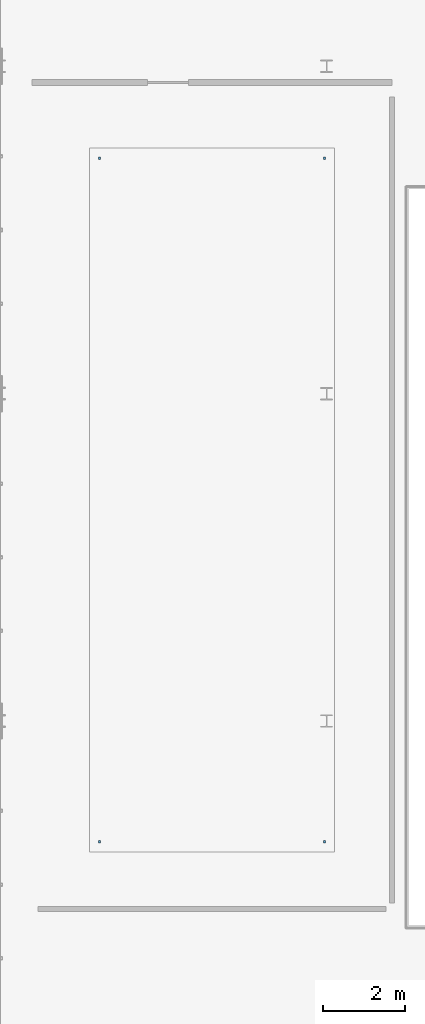
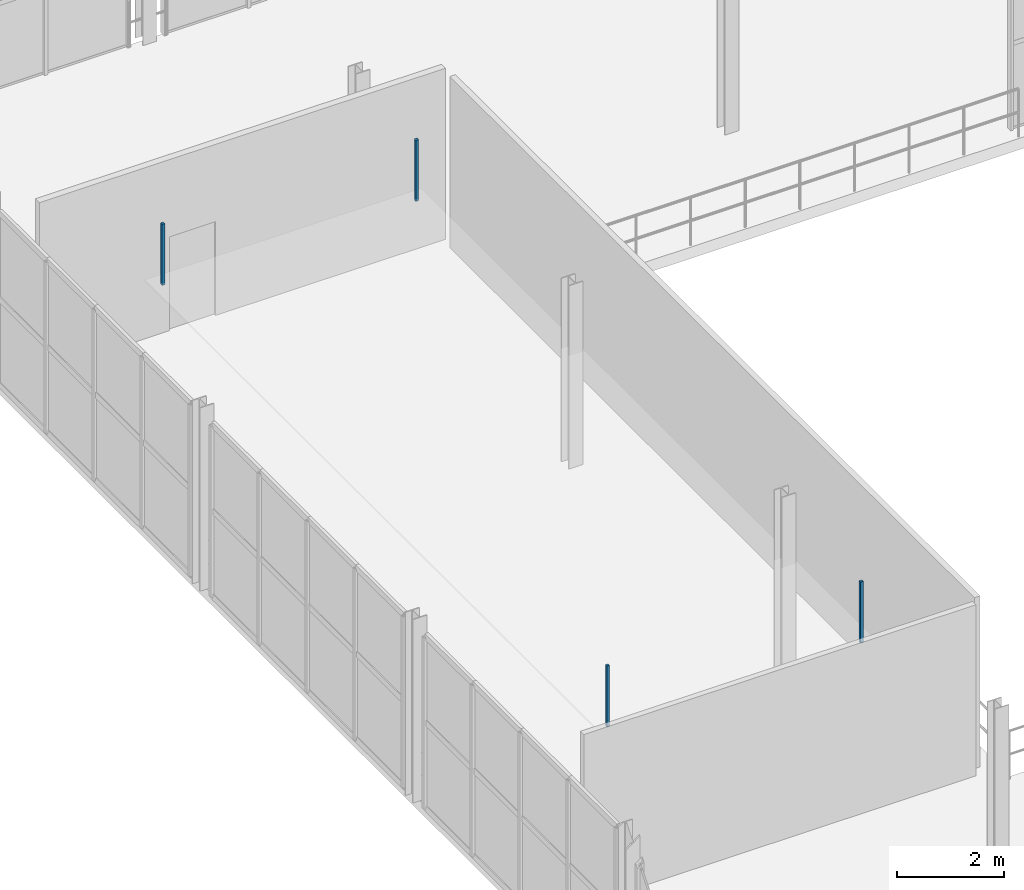
# One storey, part 46 of 67: 4 discrete accessories.
"""IFC4 building model written with IfcOpenShell, lengths in metres."""

import ifcopenshell
import ifcopenshell.guid

model = None  # the IFC model being written
_history = None  # IfcOwnerHistory: only IFC2X3 demands one
_inside = {}  # id of a spatial element -> (the spatial element, [elements in it])
_under = {}  # id of a project, library or spatial element -> (it, [spatial elements below it])
_declared = {}  # id of a project -> (the project, [libraries it declares])
_typed = {}  # id of a type object -> (the type object, [elements of that type])
_made_of = {}  # id of a material, layer set ... -> (it, [elements and type objects made of it])


def new_model(schema):
    """Start an empty IFC model of exactly this schema.

    Asked for "IFC4X3", IfcOpenShell would pick the latest addendum, in which some entities
    have other attributes; the version numbers below select the first issue.
    IFC2X3 requires an IfcOwnerHistory on every rooted entity: one is made here for all.
    """
    global model, _history
    if schema == "IFC4X3":
        model = ifcopenshell.file(schema_version=(4, 3, 0, 0))
    else:
        model = ifcopenshell.file(schema=schema)
    _inside.clear()
    _under.clear()
    _declared.clear()
    _typed.clear()
    _made_of.clear()
    _history = None
    if model.schema == "IFC2X3":
        org = make("IfcOrganization", Name="unknown")
        user = make(
            "IfcPersonAndOrganization",
            ThePerson=make("IfcPerson", FamilyName="unknown"),
            TheOrganization=org,
        )
        app = make(
            "IfcApplication",
            ApplicationDeveloper=org,
            Version="unknown",
            ApplicationFullName="unknown",
            ApplicationIdentifier="unknown",
        )
        _history = make(
            "IfcOwnerHistory",
            OwningUser=user,
            OwningApplication=app,
            ChangeAction="ADDED",
            CreationDate=0,
        )
    return model


def make(cls, **values):
    """One entity of the class cls with the attributes given. An attribute that is None is left unset."""
    return model.create_entity(
        cls, **{name: value for name, value in values.items() if value is not None}
    )


def rooted(cls, **values):
    """An entity with a GlobalId (a new one), such as an element, a storey or a relation."""
    return make(cls, GlobalId=ifcopenshell.guid.new(), OwnerHistory=_history, **values)


def si_unit(unit_type, name, prefix=None):
    """IfcSIUnit, for example si_unit("LENGTHUNIT", "METRE", prefix="MILLI")."""
    return make("IfcSIUnit", UnitType=unit_type, Prefix=prefix, Name=name)


def assignment(units):
    """IfcUnitAssignment: the units of a project."""
    return None if units is None else make("IfcUnitAssignment", Units=units)


def point(xyz):
    """IfcCartesianPoint."""
    return None if xyz is None else make("IfcCartesianPoint", Coordinates=xyz)


def direction(xyz):
    """IfcDirection."""
    return None if xyz is None else make("IfcDirection", DirectionRatios=xyz)


def frame(location, z_axis=None, x_axis=None):
    """IfcAxis2Placement3D, a coordinate frame: its origin and axes. An axis left out is left unset."""
    return make(
        "IfcAxis2Placement3D",
        Location=point(location),
        Axis=direction(z_axis),
        RefDirection=direction(x_axis),
    )


def frame_2d(location, x_axis=None):
    """IfcAxis2Placement2D, a coordinate frame in the plane: its origin and x axis."""
    return make(
        "IfcAxis2Placement2D", Location=point(location), RefDirection=direction(x_axis)
    )


def origin():
    """The frame at (0, 0, 0) with its axes left unset."""
    return frame((0.0, 0.0, 0.0))


def origin_2d():
    """The frame at (0, 0) in the plane with its x axis left unset."""
    return frame_2d((0.0, 0.0))


def place(relative_to, where):
    """IfcLocalPlacement: puts the frame where relative to a parent placement (None: the world)."""
    return make(
        "IfcLocalPlacement", PlacementRelTo=relative_to, RelativePlacement=where
    )


def context(
    kind, dimensions, precision=None, world=None, true_north=None, identifier=None
):
    """IfcGeometricRepresentationContext, for example the 3D "Model" context."""
    return make(
        "IfcGeometricRepresentationContext",
        ContextIdentifier=identifier,
        ContextType=kind,
        CoordinateSpaceDimension=dimensions,
        Precision=precision,
        WorldCoordinateSystem=world,
        TrueNorth=true_north,
    )


def subcontext(parent, identifier, kind, view, scale=None):
    """IfcGeometricRepresentationSubContext, for example "Body" below "Model"."""
    return make(
        "IfcGeometricRepresentationSubContext",
        ContextIdentifier=identifier,
        ContextType=kind,
        ParentContext=parent,
        TargetScale=scale,
        TargetView=view,
    )


def project(units=None, contexts=None):
    """IfcProject with its units and contexts."""
    return rooted(
        "IfcProject",
        Name="project",
        RepresentationContexts=contexts,
        UnitsInContext=assignment(units),
    )


def spatial(cls, under=None, at=None, **own):
    """A site, building, storey or space (cls), placed at a placement, below another one or the project."""
    s = rooted(cls, ObjectPlacement=at, **own)
    if under is not None:
        _under.setdefault(under.id(), (under, []))[1].append(s)
    return s


def profile(cls, at=None, kind="AREA", **sizes):
    """A parametric profile (cls). Its sizes go by their IFC names, for example OverallWidth=200.0."""
    return make(cls, ProfileType=kind, Position=at, **sizes)


def rectangle(**sizes):
    """IfcRectangleProfileDef."""
    return profile("IfcRectangleProfileDef", **sizes)


def extrude(swept, where, along, depth):
    """IfcExtrudedAreaSolid: the profile swept, set in the frame where, extruded along a direction by depth."""
    return make(
        "IfcExtrudedAreaSolid",
        SweptArea=swept,
        Position=where,
        ExtrudedDirection=direction(along),
        Depth=depth,
    )


def shape(context_of_items, identifier, shape_type, items):
    """IfcShapeRepresentation: the items that make up one representation, for example the "Body"."""
    return make(
        "IfcShapeRepresentation",
        ContextOfItems=context_of_items,
        RepresentationIdentifier=identifier,
        RepresentationType=shape_type,
        Items=items,
    )


def material(Name=None, Category=None):
    """IfcMaterial."""
    return make("IfcMaterial", Name=Name, Category=Category)


def made_of(thing, what):
    """Note that an element or type object is made of a material, layer set ...; save() writes the relation."""
    if what is not None:
        _made_of.setdefault(what.id(), (what, []))[1].append(thing)
    return thing


def type_object(cls, material=None, **own):
    """A type object (cls), such as IfcWallType, which elements share."""
    return made_of(rooted(cls, **own), material)


def element(
    cls,
    number,
    at=None,
    inside=None,
    cuts=None,
    type_object=None,
    material=None,
    context=None,
    identifier="Body",
    shape_type=None,
    held_by="IfcProductDefinitionShape",
    body=None,
    shapes=None,
    **own,
):
    """One element of the class cls, such as IfcWall. Its Tag is "e" and its number.

    at: its placement. inside: the storey or other place that contains it. cuts: it is an
    opening in that element (IfcRelVoidsElement). A single representation is given by context,
    identifier, shape_type and body (its items); several are given by shapes. held_by: the class
    of the entity that holds the representations. save() writes the other relations.
    """
    e = rooted(cls, Tag="e%d" % number, ObjectPlacement=at, **own)
    if body is not None:
        shapes = [shape(context, identifier, shape_type, body)]
    if shapes is not None:
        e.Representation = make(held_by, Representations=shapes)
    if inside is not None:
        _inside.setdefault(inside.id(), (inside, []))[1].append(e)
    if cuts is not None:
        rooted(
            "IfcRelVoidsElement", RelatingBuildingElement=cuts, RelatedOpeningElement=e
        )
    if type_object is not None:
        _typed.setdefault(type_object.id(), (type_object, []))[1].append(e)
    return made_of(e, material)


def aggregate(whole, parts):
    """IfcRelAggregates: a whole, such as a stair, and the parts it consists of."""
    return rooted("IfcRelAggregates", RelatingObject=whole, RelatedObjects=parts)


def save(model, path):
    """Write the relations noted so far, then the file.

    IfcRelAggregates (storeys below a building ...), IfcRelContainedInSpatialStructure (elements
    in a storey), IfcRelDefinesByType, IfcRelAssociatesMaterial and IfcRelDeclares: one each for
    every whole, place, type object, material and project.
    """
    for whole, parts in _under.values():
        aggregate(whole, parts)
    for where, things in _inside.values():
        rooted(
            "IfcRelContainedInSpatialStructure",
            RelatedElements=things,
            RelatingStructure=where,
        )
    for kind, things in _typed.values():
        rooted("IfcRelDefinesByType", RelatedObjects=things, RelatingType=kind)
    for what, things in _made_of.values():
        rooted("IfcRelAssociatesMaterial", RelatedObjects=things, RelatingMaterial=what)
    for by, libraries in _declared.values():
        rooted("IfcRelDeclares", RelatingContext=by, RelatedDefinitions=libraries)
    model.write(path)


model = new_model("IFC4")

# Units and contexts
model_context = context("Model", 3, precision=1e-05, world=origin(), true_north=direction((0.0, 1.0)))
body_context = subcontext(model_context, "Body", "Model", "MODEL_VIEW")
ifc_project = project(units=[si_unit("LENGTHUNIT", "METRE"), si_unit("AREAUNIT", "SQUARE_METRE"), si_unit("VOLUMEUNIT", "CUBIC_METRE"), si_unit("PLANEANGLEUNIT", "RADIAN"), si_unit("MASSUNIT", "GRAM", prefix="KILO")], contexts=[model_context])

# Site, building, storey
site_placement = place(None, origin())
site = spatial("IfcSite", under=ifc_project, at=site_placement, CompositionType="ELEMENT")
building_placement = place(site_placement, origin())
building = spatial("IfcBuilding", under=site, at=building_placement, Name="Sundkrona Museum", CompositionType="ELEMENT")
storey_placement = place(building_placement, frame((0.0, 0.0, 21.800048828125)))
storey = spatial("IfcBuildingStorey", under=building, at=storey_placement, Name="L04", CompositionType="ELEMENT", Elevation=21.800048828125)

# Discrete accessories
ifc_material = material(Name="Stainless Steel EN 1.4404 Cleat", Category="steel")
discrete_accessory_type = type_object("IfcDiscreteAccessoryType", Name="BRK-FIN-01", PredefinedType="BRACKET", material=ifc_material)
for number, where, z_axis, x_axis, name in (
    (1, (82.449951171875, 13.050048828125, 2.550048828125), (0.0, 0.0, 1.0), (1.0, 0.0, 0.0), "L04 Curatorial Administration Suite Ceiling Hanger 1"),
    (2, (87.949951171875, 13.050048828125, 2.550048828125), (0.0, 0.0, 1.0), (1.0, 0.0, 0.0), "L04 Curatorial Administration Suite Ceiling Hanger 2"),
    (3, (87.949951171875, 29.75, 2.550048828125), (0.0, 0.0, 1.0), (1.0, 0.0, 0.0), "L04 Curatorial Administration Suite Ceiling Hanger 3"),
    (4, (82.449951171875, 29.75, 2.550048828125), (0.0, 0.0, 1.0), (1.0, 0.0, 0.0), "L04 Curatorial Administration Suite Ceiling Hanger 4"),
):
    element("IfcDiscreteAccessory", number, at=place(storey_placement, frame(where, z_axis=z_axis, x_axis=x_axis)), inside=storey, type_object=discrete_accessory_type, Name=name, PredefinedType="BRACKET", context=body_context, shape_type="SweptSolid", body=[
        extrude(rectangle(XDim=0.06005859375, YDim=0.06005859375, at=origin_2d()), origin(), (0.0, 0.0, 1.0), 1.39990234375),
    ])

save(model, "model.ifc")
